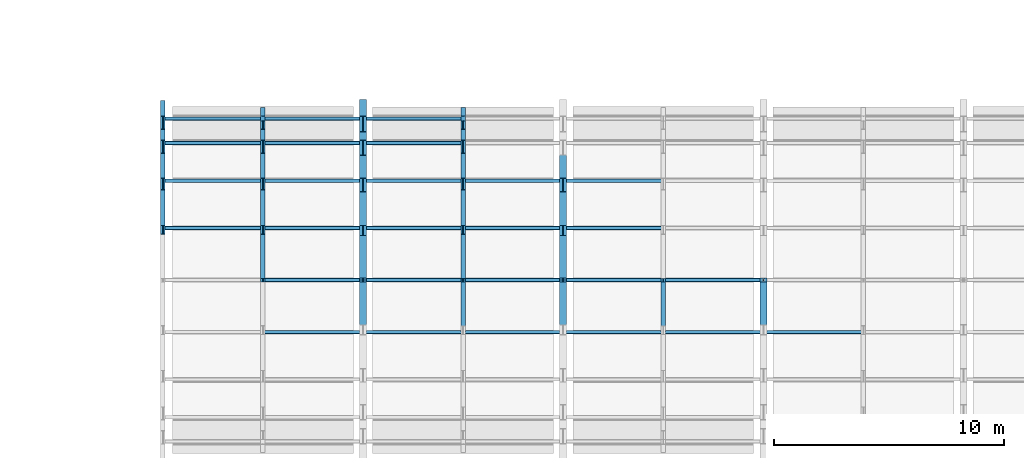
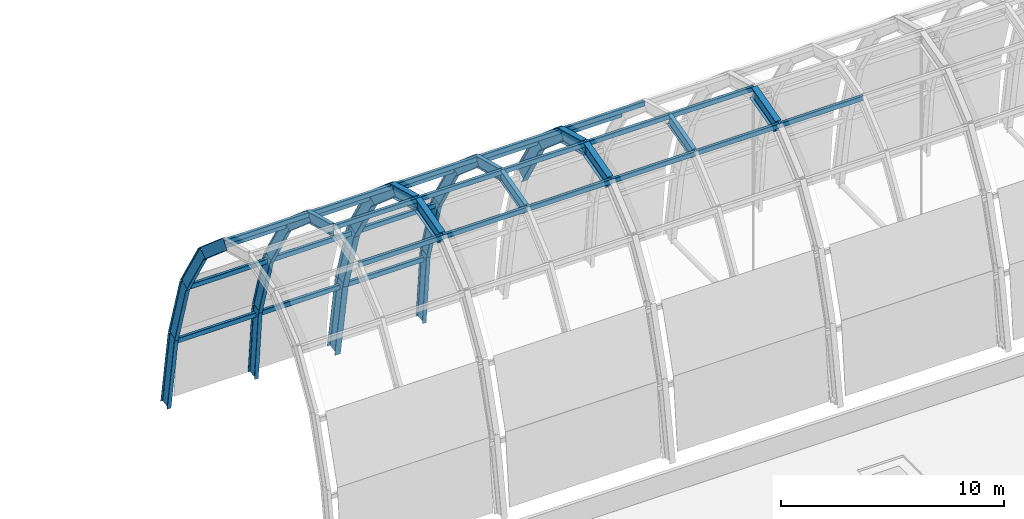
# One storey, part 2 of 13: 27 beams, 27 members.
"""IFC4 building model written with IfcOpenShell, lengths in metres."""

from ifc_helpers import new_model, si_unit, derived_unit, direction, frame, origin, origin_2d, place, context, subcontext, project, spatial, hollow_rectangle, i_section, extrude, material, material_profile, profile_set, type_object, element, save


model = new_model("IFC4")

# Units and contexts
model_context = context("Model", 3, precision=1e-05, world=origin(), true_north=direction((0.0, 1.0)))
body_context = subcontext(model_context, "Body", "Model", "MODEL_VIEW")
ifc_project = project(units=[si_unit("LENGTHUNIT", "METRE"), si_unit("AREAUNIT", "SQUARE_METRE"), si_unit("VOLUMEUNIT", "CUBIC_METRE"), si_unit("PLANEANGLEUNIT", "RADIAN"), si_unit("MASSUNIT", "GRAM", prefix="KILO"), derived_unit("THERMALTRANSMITTANCEUNIT", [(si_unit("MASSUNIT", "GRAM", prefix="KILO"), 1), (si_unit("TIMEUNIT", "SECOND"), -3), (si_unit("THERMODYNAMICTEMPERATUREUNIT", "KELVIN"), -1)])], contexts=[model_context])

# Site, building, storey
site_placement = place(None, origin())
site = spatial("IfcSite", under=ifc_project, at=site_placement, CompositionType="ELEMENT")
building_placement = place(site_placement, origin())
building = spatial("IfcBuilding", under=site, at=building_placement, Name="Qinzheling Arcade Emporium", CompositionType="ELEMENT")
storey_placement = place(building_placement, frame((0.0, 0.0, 41.10009765625)))
storey = spatial("IfcBuildingStorey", under=building, at=storey_placement, Name="RF", CompositionType="ELEMENT", Elevation=41.10009765625)

# Beams
ifc_material = material(Name="Weathering steel Q355NH", Category="steel")
ifc_material_profile_1 = material_profile(ifc_material, i_section(OverallWidth=0.199951171875, OverallDepth=0.60009765625, WebThickness=0.010986328125, FlangeThickness=0.01708984375, FilletRadius=0.02001953125, at=origin_2d()), Name="HN 600x200x11x17", Category="steel")
ifc_profile_set_1 = profile_set([ifc_material_profile_1], Name="Weathering steel Q355NH")
beam_type_1 = type_object("IfcBeamType", Name="Atrium End Arch Rib HN600 Q355NH", PredefinedType="BEAM", material=ifc_profile_set_1)
beam_1_placement = place(storey_placement, frame((34.800048828125, 60.077880859375, 6.9169921875), z_axis=(0.0, 0.759119305647, -0.650951518774), x_axis=(-1.0, 0.0, 0.0)))
element("IfcBeam", 1, at=beam_1_placement, inside=storey, type_object=beam_type_1, Name="Atrium Arch Rib VLT-ATRIUM-RIB-01-S07", PredefinedType="BEAM", context=body_context, shape_type="SweptSolid", body=[
    extrude(i_section(OverallWidth=0.199951171875, OverallDepth=0.60009765625, WebThickness=0.010986328125, FlangeThickness=0.01708984375, FilletRadius=0.02001953125, at=origin_2d()), origin(), (0.0, 0.0, 1.0), 2.63623046875),
])
beam_2_placement = place(storey_placement, frame((34.800048828125, 62.0791015625, 5.200927734375), z_axis=(0.0, 0.511083106472, -0.859531301512), x_axis=(-1.0, 0.0, 0.0)))
element("IfcBeam", 2, at=beam_2_placement, inside=storey, type_object=beam_type_1, Name="Atrium Arch Rib VLT-ATRIUM-RIB-01-S08", PredefinedType="BEAM", context=body_context, shape_type="SweptSolid", body=[
    extrude(i_section(OverallWidth=0.199951171875, OverallDepth=0.60009765625, WebThickness=0.010986328125, FlangeThickness=0.01708984375, FilletRadius=0.02001953125, at=origin_2d()), origin(), (0.0, 0.0, 1.0), 3.159912109375),
])
beam_3_placement = place(storey_placement, frame((34.800048828125, 63.694091796875, 2.48486328125), z_axis=(0.0, 0.289950987628, -0.957041495847), x_axis=(-1.0, 0.0, 0.0)))
element("IfcBeam", 3, at=beam_3_placement, inside=storey, type_object=beam_type_1, Name="Atrium Arch Rib VLT-ATRIUM-RIB-01-S09", PredefinedType="BEAM", context=body_context, shape_type="SweptSolid", body=[
    extrude(i_section(OverallWidth=0.199951171875, OverallDepth=0.60009765625, WebThickness=0.010986328125, FlangeThickness=0.01708984375, FilletRadius=0.02001953125, at=origin_2d()), origin(), (0.0, 0.0, 1.0), 3.603759765625),
])
beam_4_placement = place(storey_placement, frame((34.800048828125, 64.739013671875, -0.964111328125), z_axis=(0.0, 0.157788168776, -0.98747298383), x_axis=(-1.0, 0.0, 0.0)))
element("IfcBeam", 4, at=beam_4_placement, inside=storey, type_object=beam_type_1, Name="Atrium Arch Rib VLT-ATRIUM-RIB-01-S10", PredefinedType="BEAM", context=body_context, shape_type="SweptSolid", body=[
    extrude(i_section(OverallWidth=0.199951171875, OverallDepth=0.60009765625, WebThickness=0.010986328125, FlangeThickness=0.01708984375, FilletRadius=0.02001953125, at=origin_2d()), origin(), (0.0, 0.0, 1.0), 4.1884765625),
])
beam_5_placement = place(storey_placement, frame((39.14990234375, 57.89990234375, 7.501953125), z_axis=(0.0, 0.966026254712, -0.258443949838), x_axis=(-1.0, 0.0, 0.0)))
element("IfcBeam", 5, at=beam_5_placement, inside=storey, type_object=beam_type_1, Name="Atrium Sub-Rib VLT-ATRIUM-SRIB-B01-S06", PredefinedType="BEAM", context=body_context, shape_type="SweptSolid", body=[
    extrude(i_section(OverallWidth=0.199951171875, OverallDepth=0.60009765625, WebThickness=0.010986328125, FlangeThickness=0.01708984375, FilletRadius=0.02001953125, at=origin_2d()), origin(), (0.0, 0.0, 1.0), 2.255859375),
])
beam_6_placement = place(storey_placement, frame((39.14990234375, 60.0791015625, 6.9189453125), z_axis=(0.0, 0.758897005565, -0.651210668636), x_axis=(-1.0, 0.0, 0.0)))
element("IfcBeam", 6, at=beam_6_placement, inside=storey, type_object=beam_type_1, Name="Atrium Sub-Rib VLT-ATRIUM-SRIB-B01-S07", PredefinedType="BEAM", context=body_context, shape_type="SweptSolid", body=[
    extrude(i_section(OverallWidth=0.199951171875, OverallDepth=0.60009765625, WebThickness=0.010986328125, FlangeThickness=0.01708984375, FilletRadius=0.02001953125, at=origin_2d()), origin(), (0.0, 0.0, 1.0), 2.63671875),
])
beam_7_placement = place(storey_placement, frame((39.14990234375, 62.080078125, 5.201904296875), z_axis=(0.0, 0.511083106472, -0.859531301512), x_axis=(-1.0, 0.0, 0.0)))
element("IfcBeam", 7, at=beam_7_placement, inside=storey, type_object=beam_type_1, Name="Atrium Sub-Rib VLT-ATRIUM-SRIB-B01-S08", PredefinedType="BEAM", context=body_context, shape_type="SweptSolid", body=[
    extrude(i_section(OverallWidth=0.199951171875, OverallDepth=0.60009765625, WebThickness=0.010986328125, FlangeThickness=0.01708984375, FilletRadius=0.02001953125, at=origin_2d()), origin(), (0.0, 0.0, 1.0), 3.159912109375),
])
beam_8_placement = place(storey_placement, frame((39.14990234375, 63.695068359375, 2.48583984375), z_axis=(0.0, 0.29012392853, -0.956989083581), x_axis=(-1.0, 0.0, 0.0)))
element("IfcBeam", 8, at=beam_8_placement, inside=storey, type_object=beam_type_1, Name="Atrium Sub-Rib VLT-ATRIUM-SRIB-B01-S09", PredefinedType="BEAM", context=body_context, shape_type="SweptSolid", body=[
    extrude(i_section(OverallWidth=0.199951171875, OverallDepth=0.60009765625, WebThickness=0.010986328125, FlangeThickness=0.01708984375, FilletRadius=0.02001953125, at=origin_2d()), origin(), (0.0, 0.0, 1.0), 3.60498046875),
])
beam_9_placement = place(storey_placement, frame((39.14990234375, 64.740966796875, -0.964111328125), z_axis=(0.0, 0.093291990198, -0.995638792216), x_axis=(-1.0, 0.0, 0.0)))
element("IfcBeam", 9, at=beam_9_placement, inside=storey, type_object=beam_type_1, Name="Atrium Sub-Rib VLT-ATRIUM-SRIB-B01-S10", PredefinedType="BEAM", context=body_context, shape_type="SweptSolid", body=[
    extrude(i_section(OverallWidth=0.199951171875, OverallDepth=0.60009765625, WebThickness=0.010986328125, FlangeThickness=0.01708984375, FilletRadius=0.02001953125, at=origin_2d()), origin(), (0.0, 0.0, 1.0), 3.880859375),
])
beam_10_placement = place(storey_placement, frame((47.85009765625, 55.720947265625, 6.9189453125), z_axis=(0.0, 0.966019024802, 0.258470972686), x_axis=(-1.0, 0.0, 0.0)))
element("IfcBeam", 10, at=beam_10_placement, inside=storey, type_object=beam_type_1, Name="Atrium Sub-Rib VLT-ATRIUM-SRIB-B02-S05", PredefinedType="BEAM", context=body_context, shape_type="SweptSolid", body=[
    extrude(i_section(OverallWidth=0.199951171875, OverallDepth=0.60009765625, WebThickness=0.010986328125, FlangeThickness=0.01708984375, FilletRadius=0.02001953125, at=origin_2d()), origin(), (0.0, 0.0, 1.0), 2.255615234375),
])
beam_11_placement = place(storey_placement, frame((47.85009765625, 57.89990234375, 7.501953125), z_axis=(0.0, 0.966026254712, -0.258443949838), x_axis=(-1.0, 0.0, 0.0)))
element("IfcBeam", 11, at=beam_11_placement, inside=storey, type_object=beam_type_1, Name="Atrium Sub-Rib VLT-ATRIUM-SRIB-B02-S06", PredefinedType="BEAM", context=body_context, shape_type="SweptSolid", body=[
    extrude(i_section(OverallWidth=0.199951171875, OverallDepth=0.60009765625, WebThickness=0.010986328125, FlangeThickness=0.01708984375, FilletRadius=0.02001953125, at=origin_2d()), origin(), (0.0, 0.0, 1.0), 2.255859375),
])
beam_12_placement = place(storey_placement, frame((47.85009765625, 60.0791015625, 6.9189453125), z_axis=(0.0, 0.758897005565, -0.651210668636), x_axis=(-1.0, 0.0, 0.0)))
element("IfcBeam", 12, at=beam_12_placement, inside=storey, type_object=beam_type_1, Name="Atrium Sub-Rib VLT-ATRIUM-SRIB-B02-S07", PredefinedType="BEAM", context=body_context, shape_type="SweptSolid", body=[
    extrude(i_section(OverallWidth=0.199951171875, OverallDepth=0.60009765625, WebThickness=0.010986328125, FlangeThickness=0.01708984375, FilletRadius=0.02001953125, at=origin_2d()), origin(), (0.0, 0.0, 1.0), 2.63671875),
])
beam_13_placement = place(storey_placement, frame((47.85009765625, 62.080078125, 5.201904296875), z_axis=(0.0, 0.511083106472, -0.859531301512), x_axis=(-1.0, 0.0, 0.0)))
element("IfcBeam", 13, at=beam_13_placement, inside=storey, type_object=beam_type_1, Name="Atrium Sub-Rib VLT-ATRIUM-SRIB-B02-S08", PredefinedType="BEAM", context=body_context, shape_type="SweptSolid", body=[
    extrude(i_section(OverallWidth=0.199951171875, OverallDepth=0.60009765625, WebThickness=0.010986328125, FlangeThickness=0.01708984375, FilletRadius=0.02001953125, at=origin_2d()), origin(), (0.0, 0.0, 1.0), 3.159912109375),
])
beam_14_placement = place(storey_placement, frame((47.85009765625, 63.695068359375, 2.48583984375), z_axis=(0.0, 0.29012392853, -0.956989083581), x_axis=(-1.0, 0.0, 0.0)))
element("IfcBeam", 14, at=beam_14_placement, inside=storey, type_object=beam_type_1, Name="Atrium Sub-Rib VLT-ATRIUM-SRIB-B02-S09", PredefinedType="BEAM", context=body_context, shape_type="SweptSolid", body=[
    extrude(i_section(OverallWidth=0.199951171875, OverallDepth=0.60009765625, WebThickness=0.010986328125, FlangeThickness=0.01708984375, FilletRadius=0.02001953125, at=origin_2d()), origin(), (0.0, 0.0, 1.0), 3.60498046875),
])
beam_15_placement = place(storey_placement, frame((47.85009765625, 64.740966796875, -0.964111328125), z_axis=(0.0, 0.093291990198, -0.995638792216), x_axis=(-1.0, 0.0, 0.0)))
element("IfcBeam", 15, at=beam_15_placement, inside=storey, type_object=beam_type_1, Name="Atrium Sub-Rib VLT-ATRIUM-SRIB-B02-S10", PredefinedType="BEAM", context=body_context, shape_type="SweptSolid", body=[
    extrude(i_section(OverallWidth=0.199951171875, OverallDepth=0.60009765625, WebThickness=0.010986328125, FlangeThickness=0.01708984375, FilletRadius=0.02001953125, at=origin_2d()), origin(), (0.0, 0.0, 1.0), 3.880859375),
])
beam_16_placement = place(storey_placement, frame((56.550048828125, 55.720947265625, 6.9189453125), z_axis=(0.0, 0.966019024802, 0.258470972686), x_axis=(-1.0, 0.0, 0.0)))
element("IfcBeam", 16, at=beam_16_placement, inside=storey, type_object=beam_type_1, Name="Atrium Sub-Rib VLT-ATRIUM-SRIB-B03-S05", PredefinedType="BEAM", context=body_context, shape_type="SweptSolid", body=[
    extrude(i_section(OverallWidth=0.199951171875, OverallDepth=0.60009765625, WebThickness=0.010986328125, FlangeThickness=0.01708984375, FilletRadius=0.02001953125, at=origin_2d()), origin(), (0.0, 0.0, 1.0), 2.255615234375),
])

# Members
ifc_material_profile_2 = material_profile(ifc_material, hollow_rectangle(XDim=0.159912109375, YDim=0.260009765625, WallThickness=0.010009765625, InnerFilletRadius=0.010009765625, OuterFilletRadius=0.02001953125, at=origin_2d()), Name="RHS 260x160x10", Category="steel")
ifc_profile_set_2 = profile_set([ifc_material_profile_2], Name="Weathering steel Q355NH")
member_type = type_object("IfcMemberType", Name="Atrium Skylight Purlin RHS260 Q355NH", PredefinedType="PURLIN", material=ifc_profile_set_2)
for number, where, z_axis, x_axis, name in (
    (17, (39.14990234375, 55.635986328125, 6.98095703125), (1.0, 0.0, 0.0), (0.0, 1.0, 0.0), "Atrium Skylight Purlin VLT-ATRIUM-PUR-B01-N04-2"),
    (18, (39.14990234375, 57.89990234375, 7.64599609375), (1.0, 0.0, 0.0), (0.0, 1.0, 0.0), "Atrium Skylight Purlin VLT-ATRIUM-PUR-B01-N05-2"),
):
    element("IfcMember", number, at=place(storey_placement, frame(where, z_axis=z_axis, x_axis=x_axis)), inside=storey, type_object=member_type, Name=name, PredefinedType="PURLIN", context=body_context, shape_type="SweptSolid", body=[
        extrude(hollow_rectangle(XDim=0.159912109375, YDim=0.260009765625, WallThickness=0.010009765625, InnerFilletRadius=0.010009765625, OuterFilletRadius=0.02001953125, at=origin_2d()), origin(), (0.0, 0.0, 1.0), 4.35009765625),
    ])
member_1_placement = place(storey_placement, frame((34.800048828125, 60.1640625, 6.98095703125), z_axis=(1.0, 0.0, 0.0), x_axis=(0.0, 1.0, 0.0)))
element("IfcMember", 19, at=member_1_placement, inside=storey, type_object=member_type, Name="Atrium Skylight Purlin VLT-ATRIUM-PUR-B01-N06-1", PredefinedType="PURLIN", context=body_context, shape_type="SweptSolid", body=[
    extrude(hollow_rectangle(XDim=0.159912109375, YDim=0.260009765625, WallThickness=0.010009765625, InnerFilletRadius=0.010009765625, OuterFilletRadius=0.02001953125, at=origin_2d()), origin(), (0.0, 0.0, 1.0), 4.349853515625),
])
member_2_placement = place(storey_placement, frame((39.14990234375, 60.1640625, 6.98095703125), z_axis=(1.0, 0.0, 0.0), x_axis=(0.0, 1.0, 0.0)))
element("IfcMember", 20, at=member_2_placement, inside=storey, type_object=member_type, Name="Atrium Skylight Purlin VLT-ATRIUM-PUR-B01-N06-2", PredefinedType="PURLIN", context=body_context, shape_type="SweptSolid", body=[
    extrude(hollow_rectangle(XDim=0.159912109375, YDim=0.260009765625, WallThickness=0.010009765625, InnerFilletRadius=0.010009765625, OuterFilletRadius=0.02001953125, at=origin_2d()), origin(), (0.0, 0.0, 1.0), 4.35009765625),
])
member_3_placement = place(storey_placement, frame((34.800048828125, 62.217041015625, 5.1240234375), z_axis=(1.0, 0.0, 0.0), x_axis=(0.0, 1.0, 0.0)))
element("IfcMember", 21, at=member_3_placement, inside=storey, type_object=member_type, Name="Atrium Skylight Purlin VLT-ATRIUM-PUR-B01-N07-1", PredefinedType="PURLIN", context=body_context, shape_type="SweptSolid", body=[
    extrude(hollow_rectangle(XDim=0.159912109375, YDim=0.260009765625, WallThickness=0.010009765625, InnerFilletRadius=0.010009765625, OuterFilletRadius=0.02001953125, at=origin_2d()), origin(), (0.0, 0.0, 1.0), 4.349853515625),
])
member_4_placement = place(storey_placement, frame((39.14990234375, 62.217041015625, 5.1240234375), z_axis=(1.0, 0.0, 0.0), x_axis=(0.0, 1.0, 0.0)))
element("IfcMember", 22, at=member_4_placement, inside=storey, type_object=member_type, Name="Atrium Skylight Purlin VLT-ATRIUM-PUR-B01-N07-2", PredefinedType="PURLIN", context=body_context, shape_type="SweptSolid", body=[
    extrude(hollow_rectangle(XDim=0.159912109375, YDim=0.260009765625, WallThickness=0.010009765625, InnerFilletRadius=0.010009765625, OuterFilletRadius=0.02001953125, at=origin_2d()), origin(), (0.0, 0.0, 1.0), 4.35009765625),
])
member_5_placement = place(storey_placement, frame((34.800048828125, 63.85888671875, 2.201904296875), z_axis=(1.0, 0.0, 0.0), x_axis=(0.0, 1.0, 0.0)))
element("IfcMember", 23, at=member_5_placement, inside=storey, type_object=member_type, Name="Atrium Skylight Purlin VLT-ATRIUM-PUR-B01-N08-1", PredefinedType="PURLIN", context=body_context, shape_type="SweptSolid", body=[
    extrude(hollow_rectangle(XDim=0.159912109375, YDim=0.260009765625, WallThickness=0.010009765625, InnerFilletRadius=0.010009765625, OuterFilletRadius=0.02001953125, at=origin_2d()), origin(), (0.0, 0.0, 1.0), 4.349853515625),
])
member_6_placement = place(storey_placement, frame((39.14990234375, 63.85888671875, 2.201904296875), z_axis=(1.0, 0.0, 0.0), x_axis=(0.0, 1.0, 0.0)))
element("IfcMember", 24, at=member_6_placement, inside=storey, type_object=member_type, Name="Atrium Skylight Purlin VLT-ATRIUM-PUR-B01-N08-2", PredefinedType="PURLIN", context=body_context, shape_type="SweptSolid", body=[
    extrude(hollow_rectangle(XDim=0.159912109375, YDim=0.260009765625, WallThickness=0.010009765625, InnerFilletRadius=0.010009765625, OuterFilletRadius=0.02001953125, at=origin_2d()), origin(), (0.0, 0.0, 1.0), 4.35009765625),
])
member_7_placement = place(storey_placement, frame((34.800048828125, 64.916015625, -1.380126953125), z_axis=(1.0, 0.0, 0.0), x_axis=(0.0, 1.0, 0.0)))
element("IfcMember", 25, at=member_7_placement, inside=storey, type_object=member_type, Name="Atrium Skylight Purlin VLT-ATRIUM-PUR-B01-N09-1", PredefinedType="PURLIN", context=body_context, shape_type="SweptSolid", body=[
    extrude(hollow_rectangle(XDim=0.159912109375, YDim=0.260009765625, WallThickness=0.010009765625, InnerFilletRadius=0.010009765625, OuterFilletRadius=0.02001953125, at=origin_2d()), origin(), (0.0, 0.0, 1.0), 4.349853515625),
])
for number, where, z_axis, x_axis, name in (
    (26, (39.14990234375, 64.916015625, -1.380126953125), (1.0, 0.0, 0.0), (0.0, 1.0, 0.0), "Atrium Skylight Purlin VLT-ATRIUM-PUR-B01-N09-2"),
    (27, (43.5, 55.635986328125, 6.98095703125), (1.0, 0.0, 0.0), (0.0, 1.0, 0.0), "Atrium Skylight Purlin VLT-ATRIUM-PUR-B02-N04-1"),
):
    element("IfcMember", number, at=place(storey_placement, frame(where, z_axis=z_axis, x_axis=x_axis)), inside=storey, type_object=member_type, Name=name, PredefinedType="PURLIN", context=body_context, shape_type="SweptSolid", body=[
        extrude(hollow_rectangle(XDim=0.159912109375, YDim=0.260009765625, WallThickness=0.010009765625, InnerFilletRadius=0.010009765625, OuterFilletRadius=0.02001953125, at=origin_2d()), origin(), (0.0, 0.0, 1.0), 4.35009765625),
    ])
member_8_placement = place(storey_placement, frame((47.85009765625, 55.635986328125, 6.98095703125), z_axis=(1.0, 0.0, 0.0), x_axis=(0.0, 1.0, 0.0)))
element("IfcMember", 28, at=member_8_placement, inside=storey, type_object=member_type, Name="Atrium Skylight Purlin VLT-ATRIUM-PUR-B02-N04-2", PredefinedType="PURLIN", context=body_context, shape_type="SweptSolid", body=[
    extrude(hollow_rectangle(XDim=0.159912109375, YDim=0.260009765625, WallThickness=0.010009765625, InnerFilletRadius=0.010009765625, OuterFilletRadius=0.02001953125, at=origin_2d()), origin(), (0.0, 0.0, 1.0), 4.349853515625),
])
member_9_placement = place(storey_placement, frame((43.5, 57.89990234375, 7.64599609375), z_axis=(1.0, 0.0, 0.0), x_axis=(0.0, 1.0, 0.0)))
element("IfcMember", 29, at=member_9_placement, inside=storey, type_object=member_type, Name="Atrium Skylight Purlin VLT-ATRIUM-PUR-B02-N05-1", PredefinedType="PURLIN", context=body_context, shape_type="SweptSolid", body=[
    extrude(hollow_rectangle(XDim=0.159912109375, YDim=0.260009765625, WallThickness=0.010009765625, InnerFilletRadius=0.010009765625, OuterFilletRadius=0.02001953125, at=origin_2d()), origin(), (0.0, 0.0, 1.0), 4.35009765625),
])
member_10_placement = place(storey_placement, frame((47.85009765625, 57.89990234375, 7.64599609375), z_axis=(1.0, 0.0, 0.0), x_axis=(0.0, 1.0, 0.0)))
element("IfcMember", 30, at=member_10_placement, inside=storey, type_object=member_type, Name="Atrium Skylight Purlin VLT-ATRIUM-PUR-B02-N05-2", PredefinedType="PURLIN", context=body_context, shape_type="SweptSolid", body=[
    extrude(hollow_rectangle(XDim=0.159912109375, YDim=0.260009765625, WallThickness=0.010009765625, InnerFilletRadius=0.010009765625, OuterFilletRadius=0.02001953125, at=origin_2d()), origin(), (0.0, 0.0, 1.0), 4.349853515625),
])
member_11_placement = place(storey_placement, frame((43.5, 60.1640625, 6.98095703125), z_axis=(1.0, 0.0, 0.0), x_axis=(0.0, 1.0, 0.0)))
element("IfcMember", 31, at=member_11_placement, inside=storey, type_object=member_type, Name="Atrium Skylight Purlin VLT-ATRIUM-PUR-B02-N06-1", PredefinedType="PURLIN", context=body_context, shape_type="SweptSolid", body=[
    extrude(hollow_rectangle(XDim=0.159912109375, YDim=0.260009765625, WallThickness=0.010009765625, InnerFilletRadius=0.010009765625, OuterFilletRadius=0.02001953125, at=origin_2d()), origin(), (0.0, 0.0, 1.0), 4.35009765625),
])
member_12_placement = place(storey_placement, frame((47.85009765625, 60.1640625, 6.98095703125), z_axis=(1.0, 0.0, 0.0), x_axis=(0.0, 1.0, 0.0)))
element("IfcMember", 32, at=member_12_placement, inside=storey, type_object=member_type, Name="Atrium Skylight Purlin VLT-ATRIUM-PUR-B02-N06-2", PredefinedType="PURLIN", context=body_context, shape_type="SweptSolid", body=[
    extrude(hollow_rectangle(XDim=0.159912109375, YDim=0.260009765625, WallThickness=0.010009765625, InnerFilletRadius=0.010009765625, OuterFilletRadius=0.02001953125, at=origin_2d()), origin(), (0.0, 0.0, 1.0), 4.349853515625),
])
member_13_placement = place(storey_placement, frame((43.5, 62.217041015625, 5.1240234375), z_axis=(1.0, 0.0, 0.0), x_axis=(0.0, 1.0, 0.0)))
element("IfcMember", 33, at=member_13_placement, inside=storey, type_object=member_type, Name="Atrium Skylight Purlin VLT-ATRIUM-PUR-B02-N07-1", PredefinedType="PURLIN", context=body_context, shape_type="SweptSolid", body=[
    extrude(hollow_rectangle(XDim=0.159912109375, YDim=0.260009765625, WallThickness=0.010009765625, InnerFilletRadius=0.010009765625, OuterFilletRadius=0.02001953125, at=origin_2d()), origin(), (0.0, 0.0, 1.0), 4.35009765625),
])
member_14_placement = place(storey_placement, frame((47.85009765625, 62.217041015625, 5.1240234375), z_axis=(1.0, 0.0, 0.0), x_axis=(0.0, 1.0, 0.0)))
element("IfcMember", 34, at=member_14_placement, inside=storey, type_object=member_type, Name="Atrium Skylight Purlin VLT-ATRIUM-PUR-B02-N07-2", PredefinedType="PURLIN", context=body_context, shape_type="SweptSolid", body=[
    extrude(hollow_rectangle(XDim=0.159912109375, YDim=0.260009765625, WallThickness=0.010009765625, InnerFilletRadius=0.010009765625, OuterFilletRadius=0.02001953125, at=origin_2d()), origin(), (0.0, 0.0, 1.0), 4.349853515625),
])
for number, where, z_axis, x_axis, name in (
    (35, (43.5, 63.85888671875, 2.201904296875), (1.0, 0.0, 0.0), (0.0, 1.0, 0.0), "Atrium Skylight Purlin VLT-ATRIUM-PUR-B02-N08-1"),
    (36, (43.5, 64.916015625, -1.380126953125), (1.0, 0.0, 0.0), (0.0, 1.0, 0.0), "Atrium Skylight Purlin VLT-ATRIUM-PUR-B02-N09-1"),
    (37, (52.199951171875, 55.635986328125, 6.98095703125), (1.0, 0.0, 0.0), (0.0, 1.0, 0.0), "Atrium Skylight Purlin VLT-ATRIUM-PUR-B03-N04-1"),
):
    element("IfcMember", number, at=place(storey_placement, frame(where, z_axis=z_axis, x_axis=x_axis)), inside=storey, type_object=member_type, Name=name, PredefinedType="PURLIN", context=body_context, shape_type="SweptSolid", body=[
        extrude(hollow_rectangle(XDim=0.159912109375, YDim=0.260009765625, WallThickness=0.010009765625, InnerFilletRadius=0.010009765625, OuterFilletRadius=0.02001953125, at=origin_2d()), origin(), (0.0, 0.0, 1.0), 4.35009765625),
    ])
member_15_placement = place(storey_placement, frame((56.550048828125, 55.635986328125, 6.98095703125), z_axis=(1.0, 0.0, 0.0), x_axis=(0.0, 1.0, 0.0)))
element("IfcMember", 38, at=member_15_placement, inside=storey, type_object=member_type, Name="Atrium Skylight Purlin VLT-ATRIUM-PUR-B03-N04-2", PredefinedType="PURLIN", context=body_context, shape_type="SweptSolid", body=[
    extrude(hollow_rectangle(XDim=0.159912109375, YDim=0.260009765625, WallThickness=0.010009765625, InnerFilletRadius=0.010009765625, OuterFilletRadius=0.02001953125, at=origin_2d()), origin(), (0.0, 0.0, 1.0), 4.349853515625),
])
member_16_placement = place(storey_placement, frame((52.199951171875, 57.89990234375, 7.64599609375), z_axis=(1.0, 0.0, 0.0), x_axis=(0.0, 1.0, 0.0)))
element("IfcMember", 39, at=member_16_placement, inside=storey, type_object=member_type, Name="Atrium Skylight Purlin VLT-ATRIUM-PUR-B03-N05-1", PredefinedType="PURLIN", context=body_context, shape_type="SweptSolid", body=[
    extrude(hollow_rectangle(XDim=0.159912109375, YDim=0.260009765625, WallThickness=0.010009765625, InnerFilletRadius=0.010009765625, OuterFilletRadius=0.02001953125, at=origin_2d()), origin(), (0.0, 0.0, 1.0), 4.35009765625),
])
member_17_placement = place(storey_placement, frame((56.550048828125, 57.89990234375, 7.64599609375), z_axis=(1.0, 0.0, 0.0), x_axis=(0.0, 1.0, 0.0)))
element("IfcMember", 40, at=member_17_placement, inside=storey, type_object=member_type, Name="Atrium Skylight Purlin VLT-ATRIUM-PUR-B03-N05-2", PredefinedType="PURLIN", context=body_context, shape_type="SweptSolid", body=[
    extrude(hollow_rectangle(XDim=0.159912109375, YDim=0.260009765625, WallThickness=0.010009765625, InnerFilletRadius=0.010009765625, OuterFilletRadius=0.02001953125, at=origin_2d()), origin(), (0.0, 0.0, 1.0), 4.349853515625),
])
for number, where, z_axis, x_axis, name in (
    (41, (52.199951171875, 60.1640625, 6.98095703125), (1.0, 0.0, 0.0), (0.0, 1.0, 0.0), "Atrium Skylight Purlin VLT-ATRIUM-PUR-B03-N06-1"),
    (42, (52.199951171875, 62.217041015625, 5.1240234375), (1.0, 0.0, 0.0), (0.0, 1.0, 0.0), "Atrium Skylight Purlin VLT-ATRIUM-PUR-B03-N07-1"),
    (43, (60.89990234375, 55.635986328125, 6.98095703125), (1.0, 0.0, 0.0), (0.0, 1.0, 0.0), "Atrium Skylight Purlin VLT-ATRIUM-PUR-B04-N04-1"),
):
    element("IfcMember", number, at=place(storey_placement, frame(where, z_axis=z_axis, x_axis=x_axis)), inside=storey, type_object=member_type, Name=name, PredefinedType="PURLIN", context=body_context, shape_type="SweptSolid", body=[
        extrude(hollow_rectangle(XDim=0.159912109375, YDim=0.260009765625, WallThickness=0.010009765625, InnerFilletRadius=0.010009765625, OuterFilletRadius=0.02001953125, at=origin_2d()), origin(), (0.0, 0.0, 1.0), 4.35009765625),
    ])

# Beams
ifc_material_profile_3 = material_profile(ifc_material, i_section(OverallWidth=0.300048828125, OverallDepth=0.699951171875, WebThickness=0.012939453125, FlangeThickness=0.02392578125, FilletRadius=0.02392578125, at=origin_2d()), Name="HN 700x300x13x24", Category="steel")
ifc_profile_set_3 = profile_set([ifc_material_profile_3], Name="Weathering steel Q355NH")
beam_type_2 = type_object("IfcBeamType", Name="Atrium Vault Arch Rib HN700 Q355NH", PredefinedType="BEAM", material=ifc_profile_set_3)
beam_17_placement = place(storey_placement, frame((43.5, 55.7451171875, 6.872802734375), z_axis=(0.0, 0.965950982099, 0.258725144084), x_axis=(-1.0, 0.0, 0.0)))
element("IfcBeam", 44, at=beam_17_placement, inside=storey, type_object=beam_type_2, Name="Atrium Arch Rib VLT-ATRIUM-RIB-02-S05", PredefinedType="BEAM", context=body_context, shape_type="SweptSolid", body=[
    extrude(i_section(OverallWidth=0.300048828125, OverallDepth=0.699951171875, WebThickness=0.012939453125, FlangeThickness=0.02392578125, FilletRadius=0.02392578125, at=origin_2d()), origin(), (0.0, 0.0, 1.0), 2.230712890625),
])
beam_18_placement = place(storey_placement, frame((43.5, 57.89990234375, 7.449951171875), z_axis=(0.0, 0.965958306964, -0.258697795136), x_axis=(-1.0, 0.0, 0.0)))
element("IfcBeam", 45, at=beam_18_placement, inside=storey, type_object=beam_type_2, Name="Atrium Arch Rib VLT-ATRIUM-RIB-02-S06", PredefinedType="BEAM", context=body_context, shape_type="SweptSolid", body=[
    extrude(i_section(OverallWidth=0.300048828125, OverallDepth=0.699951171875, WebThickness=0.012939453125, FlangeThickness=0.02392578125, FilletRadius=0.02392578125, at=origin_2d()), origin(), (0.0, 0.0, 1.0), 2.23095703125),
])
beam_19_placement = place(storey_placement, frame((43.5, 60.054931640625, 6.872802734375), z_axis=(0.0, 0.758815061516, -0.651306151066), x_axis=(-1.0, 0.0, 0.0)))
element("IfcBeam", 46, at=beam_19_placement, inside=storey, type_object=beam_type_2, Name="Atrium Arch Rib VLT-ATRIUM-RIB-02-S07", PredefinedType="BEAM", context=body_context, shape_type="SweptSolid", body=[
    extrude(i_section(OverallWidth=0.300048828125, OverallDepth=0.699951171875, WebThickness=0.012939453125, FlangeThickness=0.02392578125, FilletRadius=0.02392578125, at=origin_2d()), origin(), (0.0, 0.0, 1.0), 2.615966796875),
])
beam_20_placement = place(storey_placement, frame((43.5, 62.0400390625, 5.1689453125), z_axis=(0.0, 0.511090888191, -0.859526674401), x_axis=(-1.0, 0.0, 0.0)))
element("IfcBeam", 47, at=beam_20_placement, inside=storey, type_object=beam_type_2, Name="Atrium Arch Rib VLT-ATRIUM-RIB-02-S08", PredefinedType="BEAM", context=body_context, shape_type="SweptSolid", body=[
    extrude(i_section(OverallWidth=0.300048828125, OverallDepth=0.699951171875, WebThickness=0.012939453125, FlangeThickness=0.02392578125, FilletRadius=0.02392578125, at=origin_2d()), origin(), (0.0, 0.0, 1.0), 3.14599609375),
])
beam_21_placement = place(storey_placement, frame((43.5, 63.64794921875, 2.46484375), z_axis=(0.0, 0.289977224011, -0.957033546724), x_axis=(-1.0, 0.0, 0.0)))
element("IfcBeam", 48, at=beam_21_placement, inside=storey, type_object=beam_type_2, Name="Atrium Arch Rib VLT-ATRIUM-RIB-02-S09", PredefinedType="BEAM", context=body_context, shape_type="SweptSolid", body=[
    extrude(i_section(OverallWidth=0.300048828125, OverallDepth=0.699951171875, WebThickness=0.012939453125, FlangeThickness=0.02392578125, FilletRadius=0.02392578125, at=origin_2d()), origin(), (0.0, 0.0, 1.0), 3.59326171875),
])
beam_22_placement = place(storey_placement, frame((43.5, 64.68994140625, -0.97412109375), z_axis=(0.0, 0.167603896414, -0.985854418211), x_axis=(-1.0, 0.0, 0.0)))
element("IfcBeam", 49, at=beam_22_placement, inside=storey, type_object=beam_type_2, Name="Atrium Arch Rib VLT-ATRIUM-RIB-02-S10", PredefinedType="BEAM", context=body_context, shape_type="SweptSolid", body=[
    extrude(i_section(OverallWidth=0.300048828125, OverallDepth=0.699951171875, WebThickness=0.012939453125, FlangeThickness=0.02392578125, FilletRadius=0.02392578125, at=origin_2d()), origin(), (0.0, 0.0, 1.0), 4.23583984375),
])
beam_23_placement = place(storey_placement, frame((52.199951171875, 55.7451171875, 6.872802734375), z_axis=(0.0, 0.965950982099, 0.258725144084), x_axis=(-1.0, 0.0, 0.0)))
element("IfcBeam", 50, at=beam_23_placement, inside=storey, type_object=beam_type_2, Name="Atrium Arch Rib VLT-ATRIUM-RIB-03-S05", PredefinedType="BEAM", context=body_context, shape_type="SweptSolid", body=[
    extrude(i_section(OverallWidth=0.300048828125, OverallDepth=0.699951171875, WebThickness=0.012939453125, FlangeThickness=0.02392578125, FilletRadius=0.02392578125, at=origin_2d()), origin(), (0.0, 0.0, 1.0), 2.230712890625),
])
beam_24_placement = place(storey_placement, frame((52.199951171875, 57.89990234375, 7.449951171875), z_axis=(0.0, 0.965958306964, -0.258697795136), x_axis=(-1.0, 0.0, 0.0)))
element("IfcBeam", 51, at=beam_24_placement, inside=storey, type_object=beam_type_2, Name="Atrium Arch Rib VLT-ATRIUM-RIB-03-S06", PredefinedType="BEAM", context=body_context, shape_type="SweptSolid", body=[
    extrude(i_section(OverallWidth=0.300048828125, OverallDepth=0.699951171875, WebThickness=0.012939453125, FlangeThickness=0.02392578125, FilletRadius=0.02392578125, at=origin_2d()), origin(), (0.0, 0.0, 1.0), 2.23095703125),
])
beam_25_placement = place(storey_placement, frame((52.199951171875, 60.054931640625, 6.872802734375), z_axis=(0.0, 0.758815061516, -0.651306151066), x_axis=(-1.0, 0.0, 0.0)))
element("IfcBeam", 52, at=beam_25_placement, inside=storey, type_object=beam_type_2, Name="Atrium Arch Rib VLT-ATRIUM-RIB-03-S07", PredefinedType="BEAM", context=body_context, shape_type="SweptSolid", body=[
    extrude(i_section(OverallWidth=0.300048828125, OverallDepth=0.699951171875, WebThickness=0.012939453125, FlangeThickness=0.02392578125, FilletRadius=0.02392578125, at=origin_2d()), origin(), (0.0, 0.0, 1.0), 2.615966796875),
])
beam_26_placement = place(storey_placement, frame((52.199951171875, 62.0400390625, 5.1689453125), z_axis=(0.0, 0.511090888191, -0.859526674401), x_axis=(-1.0, 0.0, 0.0)))
element("IfcBeam", 53, at=beam_26_placement, inside=storey, type_object=beam_type_2, Name="Atrium Arch Rib VLT-ATRIUM-RIB-03-S08", PredefinedType="BEAM", context=body_context, shape_type="SweptSolid", body=[
    extrude(i_section(OverallWidth=0.300048828125, OverallDepth=0.699951171875, WebThickness=0.012939453125, FlangeThickness=0.02392578125, FilletRadius=0.02392578125, at=origin_2d()), origin(), (0.0, 0.0, 1.0), 3.14599609375),
])
beam_27_placement = place(storey_placement, frame((60.89990234375, 55.7451171875, 6.872802734375), z_axis=(0.0, 0.965950982099, 0.258725144084), x_axis=(-1.0, 0.0, 0.0)))
element("IfcBeam", 54, at=beam_27_placement, inside=storey, type_object=beam_type_2, Name="Atrium Arch Rib VLT-ATRIUM-RIB-04-S05", PredefinedType="BEAM", context=body_context, shape_type="SweptSolid", body=[
    extrude(i_section(OverallWidth=0.300048828125, OverallDepth=0.699951171875, WebThickness=0.012939453125, FlangeThickness=0.02392578125, FilletRadius=0.02392578125, at=origin_2d()), origin(), (0.0, 0.0, 1.0), 2.230712890625),
])

save(model, "model.ifc")
